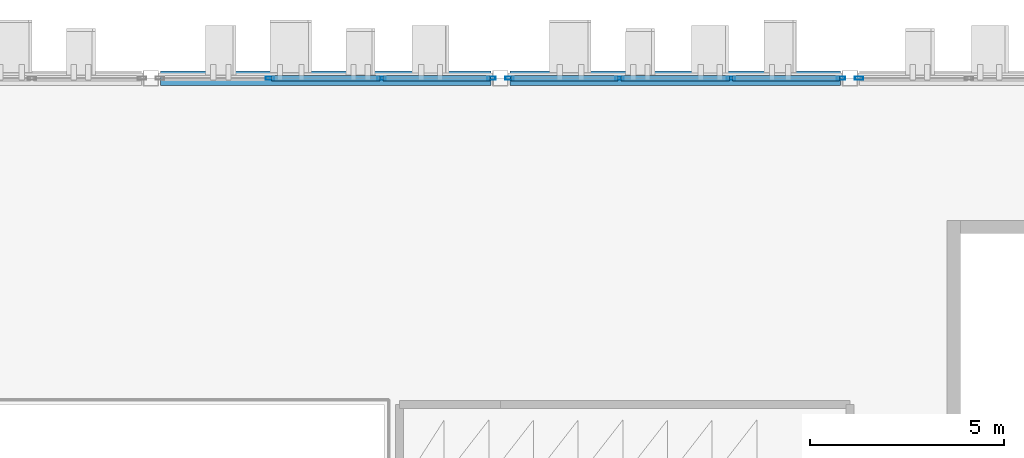
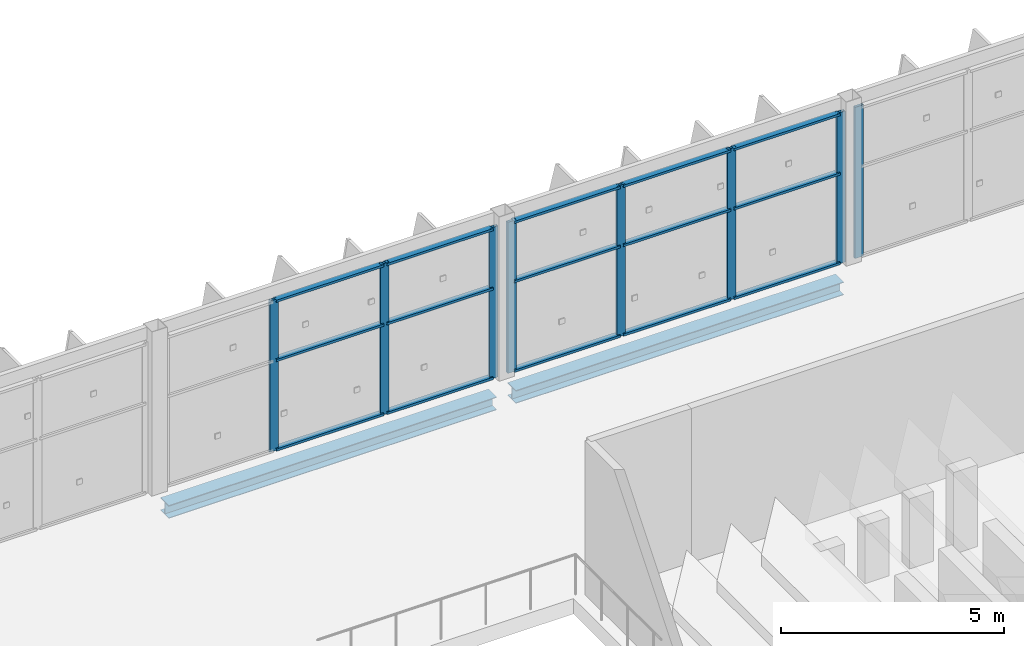
# One storey, part 86 of 151: 23 members, 2 beams, 3 elements without a shape of their own.
"""IFC4 building model written with IfcOpenShell, lengths in metres."""

from ifc_helpers import new_model, si_unit, direction, frame, origin, origin_2d, place, context, subcontext, project, spatial, hollow_rectangle, i_section, extrude, material, layer, layer_set, material_profile, profile_set, type_object, element, aggregate, save


model = new_model("IFC4")

# Units and contexts
model_context = context("Model", 3, precision=1e-05, world=origin(), true_north=direction((0.0, 1.0)))
body_context = subcontext(model_context, "Body", "Model", "MODEL_VIEW")
ifc_project = project(units=[si_unit("LENGTHUNIT", "METRE"), si_unit("AREAUNIT", "SQUARE_METRE"), si_unit("VOLUMEUNIT", "CUBIC_METRE"), si_unit("PLANEANGLEUNIT", "RADIAN"), si_unit("MASSUNIT", "GRAM", prefix="KILO")], contexts=[model_context])

# Site, building, storey
site_placement = place(None, origin())
site = spatial("IfcSite", under=ifc_project, at=site_placement, CompositionType="ELEMENT")
building_placement = place(site_placement, origin())
building = spatial("IfcBuilding", under=site, at=building_placement, Name="Celestram Park Convention Centre", CompositionType="ELEMENT")
storey_placement = place(building_placement, frame((0.0, 0.0, 10.800048828125)))
storey = spatial("IfcBuildingStorey", under=building, at=storey_placement, Name="L02", CompositionType="ELEMENT", Elevation=10.800048828125)

# Curtain wall, members
ifc_material_1 = material(Name="Anodised Aluminium Alloy 6063-T6", Category="aluminium")
ifc_layer = layer(ifc_material_1, 0.179931640625)
ifc_layer_set = layer_set([ifc_layer], Name="Anodised Aluminium Alloy 6063-T6")
curtain_wall_type = type_object("IfcCurtainWallType", Name="ARC-CW-860X414", PredefinedType="NOTDEFINED", material=ifc_layer_set)
curtain_wall_1_placement = place(storey_placement, origin())
curtain_wall_1 = element("IfcCurtainWall", 1, at=curtain_wall_1_placement, inside=storey, type_object=curtain_wall_type, Name="Unitised curtain wall CU-L02-167", PredefinedType="NOTDEFINED")
ifc_material_profile_1 = material_profile(ifc_material_1, hollow_rectangle(XDim=0.074951171875, YDim=0.219970703125, WallThickness=0.00390625, at=origin_2d()), Name="ALU75X220X4")
ifc_profile_set_1 = profile_set([ifc_material_profile_1], Name="Anodised Aluminium Alloy 6063-T6")
member_type_1 = type_object("IfcMemberType", Name="ARC-CWM-180", PredefinedType="MULLION", material=ifc_profile_set_1)
member_1_placement = place(storey_placement, frame((192.06591796875, 165.60009765625, 0.0), z_axis=(0.0, 0.0, 1.0), x_axis=(0.0, 1.0, 0.0)))
member_1 = element("IfcMember", 2, at=member_1_placement, type_object=member_type_1, Name="CW-86X41 mullion 2", PredefinedType="MULLION", context=body_context, shape_type="SweptSolid", body=[
    extrude(hollow_rectangle(XDim=0.074951171875, YDim=0.219970703125, WallThickness=0.00390625, at=origin_2d()), origin(), (0.0, 0.0, 1.0), 4.14404296875),
])
member_2_placement = place(storey_placement, frame((194.93408203125, 165.60009765625, 0.0), z_axis=(0.0, 0.0, 1.0), x_axis=(0.0, 1.0, 0.0)))
member_2 = element("IfcMember", 3, at=member_2_placement, type_object=member_type_1, Name="CW-86X41 mullion 3", PredefinedType="MULLION", context=body_context, shape_type="SweptSolid", body=[
    extrude(hollow_rectangle(XDim=0.074951171875, YDim=0.219970703125, WallThickness=0.00390625, at=origin_2d()), origin(), (0.0, 0.0, 1.0), 4.14404296875),
])
member_3_placement = place(storey_placement, frame((197.764404296875, 165.60009765625, 0.0), z_axis=(0.0, 0.0, 1.0), x_axis=(0.0, 1.0, 0.0)))
member_3 = element("IfcMember", 4, at=member_3_placement, type_object=member_type_1, Name="CW-86X41 mullion 4", PredefinedType="MULLION", context=body_context, shape_type="SweptSolid", body=[
    extrude(hollow_rectangle(XDim=0.074951171875, YDim=0.219970703125, WallThickness=0.00390625, at=origin_2d()), origin(), (0.0, 0.0, 1.0), 4.14404296875),
])

curtain_wall_2_placement = place(storey_placement, origin())
curtain_wall_2 = element("IfcCurtainWall", 5, at=curtain_wall_2_placement, inside=storey, type_object=curtain_wall_type, Name="Unitised curtain wall CU-L02-168", PredefinedType="NOTDEFINED")
member_4_placement = place(storey_placement, frame((198.235595703125, 165.60009765625, 0.0), z_axis=(0.0, 0.0, 1.0), x_axis=(0.0, 1.0, 0.0)))
member_4 = element("IfcMember", 6, at=member_4_placement, type_object=member_type_1, Name="CW-86X41 mullion 1", PredefinedType="MULLION", context=body_context, shape_type="SweptSolid", body=[
    extrude(hollow_rectangle(XDim=0.074951171875, YDim=0.219970703125, WallThickness=0.00390625, at=origin_2d()), origin(), (0.0, 0.0, 1.0), 4.14404296875),
])
member_5_placement = place(storey_placement, frame((201.06591796875, 165.60009765625, 0.0), z_axis=(0.0, 0.0, 1.0), x_axis=(0.0, 1.0, 0.0)))
member_5 = element("IfcMember", 7, at=member_5_placement, type_object=member_type_1, Name="CW-86X41 mullion 2", PredefinedType="MULLION", context=body_context, shape_type="SweptSolid", body=[
    extrude(hollow_rectangle(XDim=0.074951171875, YDim=0.219970703125, WallThickness=0.00390625, at=origin_2d()), origin(), (0.0, 0.0, 1.0), 4.14404296875),
])
member_6_placement = place(storey_placement, frame((203.93408203125, 165.60009765625, 0.0), z_axis=(0.0, 0.0, 1.0), x_axis=(0.0, 1.0, 0.0)))
member_6 = element("IfcMember", 8, at=member_6_placement, type_object=member_type_1, Name="CW-86X41 mullion 3", PredefinedType="MULLION", context=body_context, shape_type="SweptSolid", body=[
    extrude(hollow_rectangle(XDim=0.074951171875, YDim=0.219970703125, WallThickness=0.00390625, at=origin_2d()), origin(), (0.0, 0.0, 1.0), 4.14404296875),
])
member_7_placement = place(storey_placement, frame((206.764404296875, 165.60009765625, 0.0), z_axis=(0.0, 0.0, 1.0), x_axis=(0.0, 1.0, 0.0)))
member_7 = element("IfcMember", 9, at=member_7_placement, type_object=member_type_1, Name="CW-86X41 mullion 4", PredefinedType="MULLION", context=body_context, shape_type="SweptSolid", body=[
    extrude(hollow_rectangle(XDim=0.074951171875, YDim=0.219970703125, WallThickness=0.00390625, at=origin_2d()), origin(), (0.0, 0.0, 1.0), 4.14404296875),
])

# Curtain wall, member
curtain_wall_3_placement = place(storey_placement, origin())
curtain_wall_3 = element("IfcCurtainWall", 10, at=curtain_wall_3_placement, inside=storey, type_object=curtain_wall_type, Name="Unitised curtain wall CU-L02-169", PredefinedType="NOTDEFINED")
member_8_placement = place(storey_placement, frame((207.235595703125, 165.60009765625, 0.0), z_axis=(0.0, 0.0, 1.0), x_axis=(0.0, 1.0, 0.0)))
member_8 = element("IfcMember", 11, at=member_8_placement, type_object=member_type_1, Name="CW-86X41 mullion 1", PredefinedType="MULLION", context=body_context, shape_type="SweptSolid", body=[
    extrude(hollow_rectangle(XDim=0.074951171875, YDim=0.219970703125, WallThickness=0.00390625, at=origin_2d()), origin(), (0.0, 0.0, 1.0), 4.14404296875),
])
aggregate(curtain_wall_3, [member_8])

# Member
ifc_material_profile_2 = material_profile(ifc_material_1, hollow_rectangle(XDim=0.14990234375, YDim=0.06494140625, WallThickness=0.0029296875, at=origin_2d()), Name="ALU150X65X3")
ifc_profile_set_2 = profile_set([ifc_material_profile_2], Name="Anodised Aluminium Alloy 6063-T6")
member_type_2 = type_object("IfcMemberType", Name="ARC-CWT-150", PredefinedType="USERDEFINED", material=ifc_profile_set_2)
member_9_placement = place(storey_placement, frame((192.103515625, 165.60009765625, 0.032470703125), z_axis=(1.0, 0.0, 0.0), x_axis=(0.0, 1.0, 0.0)))
member_9 = element("IfcMember", 12, at=member_9_placement, type_object=member_type_2, Name="CW-86X41 transom 2.1", ObjectType="TRANSOM", PredefinedType="USERDEFINED", context=body_context, shape_type="SweptSolid", body=[
    extrude(hollow_rectangle(XDim=0.14990234375, YDim=0.06494140625, WallThickness=0.0029296875, at=origin_2d()), origin(), (0.0, 0.0, 1.0), 2.79296875),
])

member_10_placement = place(storey_placement, frame((192.103515625, 165.60009765625, 2.48583984375), z_axis=(1.0, 0.0, 0.0), x_axis=(0.0, 1.0, 0.0)))
member_10 = element("IfcMember", 13, at=member_10_placement, type_object=member_type_2, Name="CW-86X41 transom 2.2", ObjectType="TRANSOM", PredefinedType="USERDEFINED", context=body_context, shape_type="SweptSolid", body=[
    extrude(hollow_rectangle(XDim=0.14990234375, YDim=0.06494140625, WallThickness=0.0029296875, at=origin_2d()), origin(), (0.0, 0.0, 1.0), 2.79296875),
])

member_11_placement = place(storey_placement, frame((192.103515625, 165.60009765625, 4.111572265625), z_axis=(1.0, 0.0, 0.0), x_axis=(0.0, 1.0, 0.0)))
member_11 = element("IfcMember", 14, at=member_11_placement, type_object=member_type_2, Name="CW-86X41 transom 2.3", ObjectType="TRANSOM", PredefinedType="USERDEFINED", context=body_context, shape_type="SweptSolid", body=[
    extrude(hollow_rectangle(XDim=0.14990234375, YDim=0.06494140625, WallThickness=0.0029296875, at=origin_2d()), origin(), (0.0, 0.0, 1.0), 2.79296875),
])

member_12_placement = place(storey_placement, frame((194.971435546875, 165.60009765625, 0.032470703125), z_axis=(1.0, 0.0, 0.0), x_axis=(0.0, 1.0, 0.0)))
member_12 = element("IfcMember", 15, at=member_12_placement, type_object=member_type_2, Name="CW-86X41 transom 3.1", ObjectType="TRANSOM", PredefinedType="USERDEFINED", context=body_context, shape_type="SweptSolid", body=[
    extrude(hollow_rectangle(XDim=0.14990234375, YDim=0.06494140625, WallThickness=0.0029296875, at=origin_2d()), origin(), (0.0, 0.0, 1.0), 2.755615234375),
])

member_13_placement = place(storey_placement, frame((194.971435546875, 165.60009765625, 2.48583984375), z_axis=(1.0, 0.0, 0.0), x_axis=(0.0, 1.0, 0.0)))
member_13 = element("IfcMember", 16, at=member_13_placement, type_object=member_type_2, Name="CW-86X41 transom 3.2", ObjectType="TRANSOM", PredefinedType="USERDEFINED", context=body_context, shape_type="SweptSolid", body=[
    extrude(hollow_rectangle(XDim=0.14990234375, YDim=0.06494140625, WallThickness=0.0029296875, at=origin_2d()), origin(), (0.0, 0.0, 1.0), 2.755615234375),
])

member_14_placement = place(storey_placement, frame((194.971435546875, 165.60009765625, 4.111572265625), z_axis=(1.0, 0.0, 0.0), x_axis=(0.0, 1.0, 0.0)))
member_14 = element("IfcMember", 17, at=member_14_placement, type_object=member_type_2, Name="CW-86X41 transom 3.3", ObjectType="TRANSOM", PredefinedType="USERDEFINED", context=body_context, shape_type="SweptSolid", body=[
    extrude(hollow_rectangle(XDim=0.14990234375, YDim=0.06494140625, WallThickness=0.0029296875, at=origin_2d()), origin(), (0.0, 0.0, 1.0), 2.755615234375),
])

aggregate(curtain_wall_1, [member_1, member_2, member_3, member_9, member_10, member_11, member_12, member_13, member_14])

member_15_placement = place(storey_placement, frame((198.27294921875, 165.60009765625, 0.032470703125), z_axis=(1.0, 0.0, 0.0), x_axis=(0.0, 1.0, 0.0)))
member_15 = element("IfcMember", 18, at=member_15_placement, type_object=member_type_2, Name="CW-86X41 transom 1.1", ObjectType="TRANSOM", PredefinedType="USERDEFINED", context=body_context, shape_type="SweptSolid", body=[
    extrude(hollow_rectangle(XDim=0.14990234375, YDim=0.06494140625, WallThickness=0.0029296875, at=origin_2d()), origin(), (0.0, 0.0, 1.0), 2.755615234375),
])

member_16_placement = place(storey_placement, frame((198.27294921875, 165.60009765625, 2.48583984375), z_axis=(1.0, 0.0, 0.0), x_axis=(0.0, 1.0, 0.0)))
member_16 = element("IfcMember", 19, at=member_16_placement, type_object=member_type_2, Name="CW-86X41 transom 1.2", ObjectType="TRANSOM", PredefinedType="USERDEFINED", context=body_context, shape_type="SweptSolid", body=[
    extrude(hollow_rectangle(XDim=0.14990234375, YDim=0.06494140625, WallThickness=0.0029296875, at=origin_2d()), origin(), (0.0, 0.0, 1.0), 2.755615234375),
])

member_17_placement = place(storey_placement, frame((198.27294921875, 165.60009765625, 4.111572265625), z_axis=(1.0, 0.0, 0.0), x_axis=(0.0, 1.0, 0.0)))
member_17 = element("IfcMember", 20, at=member_17_placement, type_object=member_type_2, Name="CW-86X41 transom 1.3", ObjectType="TRANSOM", PredefinedType="USERDEFINED", context=body_context, shape_type="SweptSolid", body=[
    extrude(hollow_rectangle(XDim=0.14990234375, YDim=0.06494140625, WallThickness=0.0029296875, at=origin_2d()), origin(), (0.0, 0.0, 1.0), 2.755615234375),
])

member_18_placement = place(storey_placement, frame((201.103515625, 165.60009765625, 0.032470703125), z_axis=(1.0, 0.0, 0.0), x_axis=(0.0, 1.0, 0.0)))
member_18 = element("IfcMember", 21, at=member_18_placement, type_object=member_type_2, Name="CW-86X41 transom 2.1", ObjectType="TRANSOM", PredefinedType="USERDEFINED", context=body_context, shape_type="SweptSolid", body=[
    extrude(hollow_rectangle(XDim=0.14990234375, YDim=0.06494140625, WallThickness=0.0029296875, at=origin_2d()), origin(), (0.0, 0.0, 1.0), 2.79296875),
])

member_19_placement = place(storey_placement, frame((201.103515625, 165.60009765625, 2.48583984375), z_axis=(1.0, 0.0, 0.0), x_axis=(0.0, 1.0, 0.0)))
member_19 = element("IfcMember", 22, at=member_19_placement, type_object=member_type_2, Name="CW-86X41 transom 2.2", ObjectType="TRANSOM", PredefinedType="USERDEFINED", context=body_context, shape_type="SweptSolid", body=[
    extrude(hollow_rectangle(XDim=0.14990234375, YDim=0.06494140625, WallThickness=0.0029296875, at=origin_2d()), origin(), (0.0, 0.0, 1.0), 2.79296875),
])

member_20_placement = place(storey_placement, frame((201.103515625, 165.60009765625, 4.111572265625), z_axis=(1.0, 0.0, 0.0), x_axis=(0.0, 1.0, 0.0)))
member_20 = element("IfcMember", 23, at=member_20_placement, type_object=member_type_2, Name="CW-86X41 transom 2.3", ObjectType="TRANSOM", PredefinedType="USERDEFINED", context=body_context, shape_type="SweptSolid", body=[
    extrude(hollow_rectangle(XDim=0.14990234375, YDim=0.06494140625, WallThickness=0.0029296875, at=origin_2d()), origin(), (0.0, 0.0, 1.0), 2.79296875),
])

member_21_placement = place(storey_placement, frame((203.971435546875, 165.60009765625, 0.032470703125), z_axis=(1.0, 0.0, 0.0), x_axis=(0.0, 1.0, 0.0)))
member_21 = element("IfcMember", 24, at=member_21_placement, type_object=member_type_2, Name="CW-86X41 transom 3.1", ObjectType="TRANSOM", PredefinedType="USERDEFINED", context=body_context, shape_type="SweptSolid", body=[
    extrude(hollow_rectangle(XDim=0.14990234375, YDim=0.06494140625, WallThickness=0.0029296875, at=origin_2d()), origin(), (0.0, 0.0, 1.0), 2.755615234375),
])

member_22_placement = place(storey_placement, frame((203.971435546875, 165.60009765625, 2.48583984375), z_axis=(1.0, 0.0, 0.0), x_axis=(0.0, 1.0, 0.0)))
member_22 = element("IfcMember", 25, at=member_22_placement, type_object=member_type_2, Name="CW-86X41 transom 3.2", ObjectType="TRANSOM", PredefinedType="USERDEFINED", context=body_context, shape_type="SweptSolid", body=[
    extrude(hollow_rectangle(XDim=0.14990234375, YDim=0.06494140625, WallThickness=0.0029296875, at=origin_2d()), origin(), (0.0, 0.0, 1.0), 2.755615234375),
])

member_23_placement = place(storey_placement, frame((203.971435546875, 165.60009765625, 4.111572265625), z_axis=(1.0, 0.0, 0.0), x_axis=(0.0, 1.0, 0.0)))
member_23 = element("IfcMember", 26, at=member_23_placement, type_object=member_type_2, Name="CW-86X41 transom 3.3", ObjectType="TRANSOM", PredefinedType="USERDEFINED", context=body_context, shape_type="SweptSolid", body=[
    extrude(hollow_rectangle(XDim=0.14990234375, YDim=0.06494140625, WallThickness=0.0029296875, at=origin_2d()), origin(), (0.0, 0.0, 1.0), 2.755615234375),
])

aggregate(curtain_wall_2, [member_4, member_5, member_6, member_7, member_15, member_16, member_17, member_18, member_19, member_20, member_21, member_22, member_23])

# Beams
ifc_material_2 = material(Name="Steel ASTM A992 Grade 50", Category="steel")
ifc_material_profile_3 = material_profile(ifc_material_2, i_section(OverallWidth=0.367919921875, OverallDepth=0.35595703125, WebThickness=0.01123046875, FlangeThickness=0.01806640625, at=origin_2d()), Name="W14X90")
ifc_profile_set_3 = profile_set([ifc_material_profile_3], Name="Steel ASTM A992 Grade 50")
beam_type = type_object("IfcBeamType", Name="STR-SPN-W14X90", PredefinedType="SPANDREL", material=ifc_profile_set_3)
for number, where, z_axis, x_axis, name in (
    (27, (189.248046875, 165.60009765625, -0.59814453125), (1.0, 0.0, 0.0), (0.0, 1.0, 0.0), "Primary X-girder BG-L02-0335"),
    (28, (198.248046875, 165.60009765625, -0.59814453125), (1.0, 0.0, 0.0), (0.0, 1.0, 0.0), "Primary X-girder BG-L02-0348"),
):
    element("IfcBeam", number, at=place(storey_placement, frame(where, z_axis=z_axis, x_axis=x_axis)), inside=storey, type_object=beam_type, Name=name, PredefinedType="SPANDREL", context=body_context, shape_type="SweptSolid", body=[
        extrude(i_section(OverallWidth=0.367919921875, OverallDepth=0.35595703125, WebThickness=0.01123046875, FlangeThickness=0.01806640625, at=origin_2d()), origin(), (0.0, 0.0, 1.0), 8.50390625),
    ])

save(model, "model.ifc")
